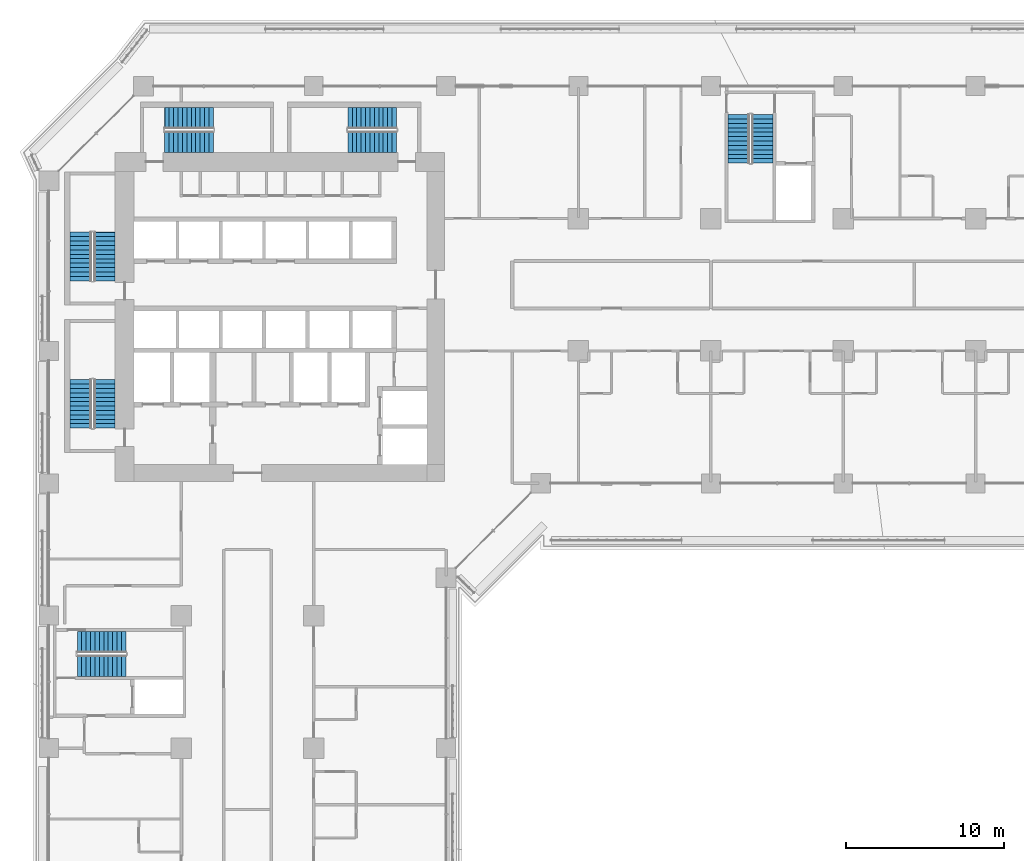
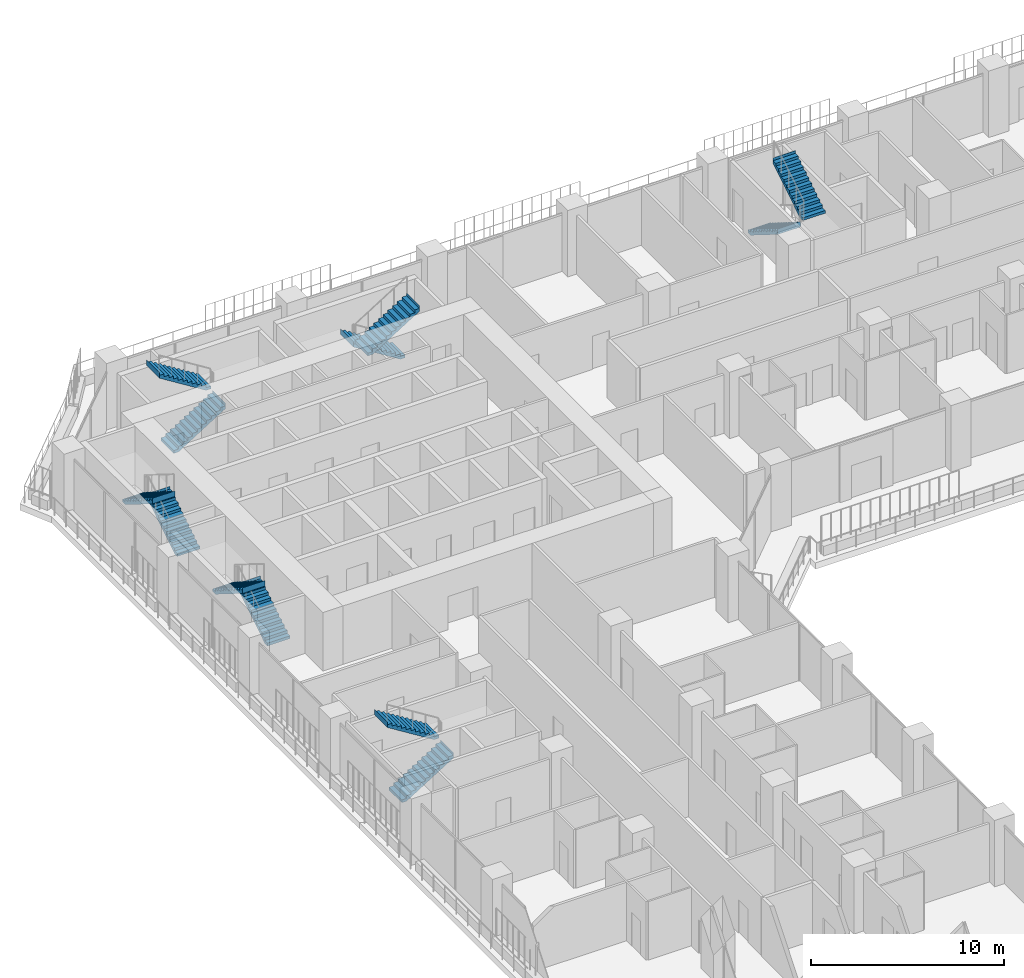
# One storey, part 20 of 28: 12 stair flights, 6 elements without a shape of their own.
"""IFC4 building model written with IfcOpenShell, lengths in metres."""

import ifcopenshell
import ifcopenshell.guid

model = None  # the IFC model being written
_history = None  # IfcOwnerHistory: only IFC2X3 demands one
_inside = {}  # id of a spatial element -> (the spatial element, [elements in it])
_under = {}  # id of a project, library or spatial element -> (it, [spatial elements below it])
_declared = {}  # id of a project -> (the project, [libraries it declares])
_typed = {}  # id of a type object -> (the type object, [elements of that type])
_made_of = {}  # id of a material, layer set ... -> (it, [elements and type objects made of it])


def new_model(schema):
    """Start an empty IFC model of exactly this schema.

    Asked for "IFC4X3", IfcOpenShell would pick the latest addendum, in which some entities
    have other attributes; the version numbers below select the first issue.
    IFC2X3 requires an IfcOwnerHistory on every rooted entity: one is made here for all.
    """
    global model, _history
    if schema == "IFC4X3":
        model = ifcopenshell.file(schema_version=(4, 3, 0, 0))
    else:
        model = ifcopenshell.file(schema=schema)
    _inside.clear()
    _under.clear()
    _declared.clear()
    _typed.clear()
    _made_of.clear()
    _history = None
    if model.schema == "IFC2X3":
        org = make("IfcOrganization", Name="unknown")
        user = make(
            "IfcPersonAndOrganization",
            ThePerson=make("IfcPerson", FamilyName="unknown"),
            TheOrganization=org,
        )
        app = make(
            "IfcApplication",
            ApplicationDeveloper=org,
            Version="unknown",
            ApplicationFullName="unknown",
            ApplicationIdentifier="unknown",
        )
        _history = make(
            "IfcOwnerHistory",
            OwningUser=user,
            OwningApplication=app,
            ChangeAction="ADDED",
            CreationDate=0,
        )
    return model


def make(cls, **values):
    """One entity of the class cls with the attributes given. An attribute that is None is left unset."""
    return model.create_entity(
        cls, **{name: value for name, value in values.items() if value is not None}
    )


def rooted(cls, **values):
    """An entity with a GlobalId (a new one), such as an element, a storey or a relation."""
    return make(cls, GlobalId=ifcopenshell.guid.new(), OwnerHistory=_history, **values)


def si_unit(unit_type, name, prefix=None):
    """IfcSIUnit, for example si_unit("LENGTHUNIT", "METRE", prefix="MILLI")."""
    return make("IfcSIUnit", UnitType=unit_type, Prefix=prefix, Name=name)


def assignment(units):
    """IfcUnitAssignment: the units of a project."""
    return None if units is None else make("IfcUnitAssignment", Units=units)


def point(xyz):
    """IfcCartesianPoint."""
    return None if xyz is None else make("IfcCartesianPoint", Coordinates=xyz)


def direction(xyz):
    """IfcDirection."""
    return None if xyz is None else make("IfcDirection", DirectionRatios=xyz)


def frame(location, z_axis=None, x_axis=None):
    """IfcAxis2Placement3D, a coordinate frame: its origin and axes. An axis left out is left unset."""
    return make(
        "IfcAxis2Placement3D",
        Location=point(location),
        Axis=direction(z_axis),
        RefDirection=direction(x_axis),
    )


def origin():
    """The frame at (0, 0, 0) with its axes left unset."""
    return frame((0.0, 0.0, 0.0))


def place(relative_to, where):
    """IfcLocalPlacement: puts the frame where relative to a parent placement (None: the world)."""
    return make(
        "IfcLocalPlacement", PlacementRelTo=relative_to, RelativePlacement=where
    )


def context(
    kind, dimensions, precision=None, world=None, true_north=None, identifier=None
):
    """IfcGeometricRepresentationContext, for example the 3D "Model" context."""
    return make(
        "IfcGeometricRepresentationContext",
        ContextIdentifier=identifier,
        ContextType=kind,
        CoordinateSpaceDimension=dimensions,
        Precision=precision,
        WorldCoordinateSystem=world,
        TrueNorth=true_north,
    )


def subcontext(parent, identifier, kind, view, scale=None):
    """IfcGeometricRepresentationSubContext, for example "Body" below "Model"."""
    return make(
        "IfcGeometricRepresentationSubContext",
        ContextIdentifier=identifier,
        ContextType=kind,
        ParentContext=parent,
        TargetScale=scale,
        TargetView=view,
    )


def project(units=None, contexts=None):
    """IfcProject with its units and contexts."""
    return rooted(
        "IfcProject",
        Name="project",
        RepresentationContexts=contexts,
        UnitsInContext=assignment(units),
    )


def spatial(cls, under=None, at=None, **own):
    """A site, building, storey or space (cls), placed at a placement, below another one or the project."""
    s = rooted(cls, ObjectPlacement=at, **own)
    if under is not None:
        _under.setdefault(under.id(), (under, []))[1].append(s)
    return s


def polyline(points):
    """IfcPolyline through the points."""
    return make("IfcPolyline", Points=[point(p) for p in points])


def outline(outer, holes=None, kind="AREA"):
    """IfcArbitraryClosedProfileDef: a profile drawn as a closed curve; with holes, ...WithVoids."""
    if holes is None:
        return make("IfcArbitraryClosedProfileDef", ProfileType=kind, OuterCurve=outer)
    return make(
        "IfcArbitraryProfileDefWithVoids",
        ProfileType=kind,
        OuterCurve=outer,
        InnerCurves=holes,
    )


def extrude(swept, where, along, depth):
    """IfcExtrudedAreaSolid: the profile swept, set in the frame where, extruded along a direction by depth."""
    return make(
        "IfcExtrudedAreaSolid",
        SweptArea=swept,
        Position=where,
        ExtrudedDirection=direction(along),
        Depth=depth,
    )


def shape(context_of_items, identifier, shape_type, items):
    """IfcShapeRepresentation: the items that make up one representation, for example the "Body"."""
    return make(
        "IfcShapeRepresentation",
        ContextOfItems=context_of_items,
        RepresentationIdentifier=identifier,
        RepresentationType=shape_type,
        Items=items,
    )


def material(Name=None, Category=None):
    """IfcMaterial."""
    return make("IfcMaterial", Name=Name, Category=Category)


def made_of(thing, what):
    """Note that an element or type object is made of a material, layer set ...; save() writes the relation."""
    if what is not None:
        _made_of.setdefault(what.id(), (what, []))[1].append(thing)
    return thing


def type_object(cls, material=None, **own):
    """A type object (cls), such as IfcWallType, which elements share."""
    return made_of(rooted(cls, **own), material)


def element(
    cls,
    number,
    at=None,
    inside=None,
    cuts=None,
    type_object=None,
    material=None,
    context=None,
    identifier="Body",
    shape_type=None,
    held_by="IfcProductDefinitionShape",
    body=None,
    shapes=None,
    **own,
):
    """One element of the class cls, such as IfcWall. Its Tag is "e" and its number.

    at: its placement. inside: the storey or other place that contains it. cuts: it is an
    opening in that element (IfcRelVoidsElement). A single representation is given by context,
    identifier, shape_type and body (its items); several are given by shapes. held_by: the class
    of the entity that holds the representations. save() writes the other relations.
    """
    e = rooted(cls, Tag="e%d" % number, ObjectPlacement=at, **own)
    if body is not None:
        shapes = [shape(context, identifier, shape_type, body)]
    if shapes is not None:
        e.Representation = make(held_by, Representations=shapes)
    if inside is not None:
        _inside.setdefault(inside.id(), (inside, []))[1].append(e)
    if cuts is not None:
        rooted(
            "IfcRelVoidsElement", RelatingBuildingElement=cuts, RelatedOpeningElement=e
        )
    if type_object is not None:
        _typed.setdefault(type_object.id(), (type_object, []))[1].append(e)
    return made_of(e, material)


def aggregate(whole, parts):
    """IfcRelAggregates: a whole, such as a stair, and the parts it consists of."""
    return rooted("IfcRelAggregates", RelatingObject=whole, RelatedObjects=parts)


def save(model, path):
    """Write the relations noted so far, then the file.

    IfcRelAggregates (storeys below a building ...), IfcRelContainedInSpatialStructure (elements
    in a storey), IfcRelDefinesByType, IfcRelAssociatesMaterial and IfcRelDeclares: one each for
    every whole, place, type object, material and project.
    """
    for whole, parts in _under.values():
        aggregate(whole, parts)
    for where, things in _inside.values():
        rooted(
            "IfcRelContainedInSpatialStructure",
            RelatedElements=things,
            RelatingStructure=where,
        )
    for kind, things in _typed.values():
        rooted("IfcRelDefinesByType", RelatedObjects=things, RelatingType=kind)
    for what, things in _made_of.values():
        rooted("IfcRelAssociatesMaterial", RelatedObjects=things, RelatingMaterial=what)
    for by, libraries in _declared.values():
        rooted("IfcRelDeclares", RelatingContext=by, RelatedDefinitions=libraries)
    model.write(path)


model = new_model("IFC4")

# Units and contexts
model_context = context("Model", 3, precision=1e-05, world=origin(), true_north=direction((0.0, 1.0)))
body_context = subcontext(model_context, "Body", "Model", "MODEL_VIEW")
ifc_project = project(units=[si_unit("LENGTHUNIT", "METRE"), si_unit("AREAUNIT", "SQUARE_METRE"), si_unit("VOLUMEUNIT", "CUBIC_METRE"), si_unit("PLANEANGLEUNIT", "RADIAN"), si_unit("MASSUNIT", "GRAM", prefix="KILO")], contexts=[model_context])

# Site, building, storey
site_placement = place(None, origin())
site = spatial("IfcSite", under=ifc_project, at=site_placement, CompositionType="ELEMENT")
building_placement = place(site_placement, origin())
building = spatial("IfcBuilding", under=site, at=building_placement, Name="Kawkab Arch Medical Tower", CompositionType="ELEMENT")
storey_placement = place(building_placement, frame((0.0, 0.0, 89.60009765625)))
storey = spatial("IfcBuildingStorey", under=building, at=storey_placement, Name="L20", CompositionType="ELEMENT", Elevation=89.60009765625)

# Stair, stair flights
ifc_material_1 = material(Name="Concrete C40/50", Category="concrete")
stair_type = type_object("IfcStairType", Name="Exit stair 1350", PredefinedType="HALF_TURN_STAIR", material=ifc_material_1)
placement = place(storey_placement, origin())
stair_1 = element("IfcStair", 1, at=placement, inside=storey, type_object=stair_type, Name="L20 Exit stair ST1", PredefinedType="HALF_TURN_STAIR")
ifc_material_2 = material(Name="Concrete C40/50", Category="concrete")
stair_flight_type = type_object("IfcStairFlightType", Name="Exit stair flight 1350", PredefinedType="STRAIGHT", material=ifc_material_2)
stair_flight_1_placement = place(storey_placement, frame((3.52490234375, -12.35009765625, 0.0), z_axis=(0.0, 0.0, 1.0), x_axis=(0.0, 1.0, 0.0)))
stair_flight_1 = element("IfcStairFlight", 2, at=stair_flight_1_placement, type_object=stair_flight_type, Name="ST1 flight 1", NumberOfRisers=12, NumberOfTreads=11, PredefinedType="STRAIGHT", RiserHeight=0.175, TreadLength=0.28, context=body_context, shape_type="SweptSolid", body=[
    extrude(outline(polyline([(-0.0029296875, 0.0), (-0.0029296875, 0.175048828125), (0.0, 0.175048828125), (0.280029296875, 0.175048828125), (0.280029296875, 0.35009765625), (0.56005859375, 0.35009765625), (0.56005859375, 0.52490234375), (0.840087890625, 0.52490234375), (0.840087890625, 0.699951171875), (1.1201171875, 0.699951171875), (1.1201171875, 0.875), (1.39990234375, 0.875), (1.39990234375, 1.050048828125), (1.679931640625, 1.050048828125), (1.679931640625, 1.22509765625), (1.9599609375, 1.22509765625), (1.9599609375, 1.39990234375), (2.239990234375, 1.39990234375), (2.239990234375, 1.574951171875), (2.52001953125, 1.574951171875), (2.52001953125, 1.75), (2.800048828125, 1.75), (2.800048828125, 1.925048828125), (3.080078125, 1.925048828125), (3.080078125, 2.10009765625), (3.0830078125, 2.10009765625), (3.0830078125, 1.748291015625), (3.080078125, 1.748291015625), (0.28271484375, 0.0), (-0.0029296875, 0.0)])), frame((0.0, 0.675048828125, 0.0), z_axis=(0.0, -1.0, 0.0), x_axis=(1.0, 0.0, 0.0)), (0.0, 0.0, 1.0), 1.35009765625),
])
stair_flight_2_placement = place(storey_placement, frame((2.02490234375, -9.27001953125, 2.099853515625), z_axis=(0.0, 0.0, 1.0), x_axis=(0.0, -1.0, 0.0)))
stair_flight_2 = element("IfcStairFlight", 3, at=stair_flight_2_placement, type_object=stair_flight_type, Name="ST1 flight 2", NumberOfRisers=12, NumberOfTreads=11, PredefinedType="STRAIGHT", RiserHeight=0.175, TreadLength=0.28, context=body_context, shape_type="SweptSolid", body=[
    extrude(outline(polyline([(-0.0029296875, 0.0), (-0.0029296875, 0.175048828125), (0.0, 0.175048828125), (0.280029296875, 0.175048828125), (0.280029296875, 0.35009765625), (0.56005859375, 0.35009765625), (0.56005859375, 0.52490234375), (0.840087890625, 0.52490234375), (0.840087890625, 0.699951171875), (1.1201171875, 0.699951171875), (1.1201171875, 0.875), (1.39990234375, 0.875), (1.39990234375, 1.050048828125), (1.679931640625, 1.050048828125), (1.679931640625, 1.22509765625), (1.9599609375, 1.22509765625), (1.9599609375, 1.39990234375), (2.239990234375, 1.39990234375), (2.239990234375, 1.574951171875), (2.52001953125, 1.574951171875), (2.52001953125, 1.75), (2.800048828125, 1.75), (2.800048828125, 1.925048828125), (3.080078125, 1.925048828125), (3.080078125, 2.10009765625), (3.0830078125, 2.10009765625), (3.0830078125, 1.748291015625), (3.080078125, 1.748291015625), (0.28271484375, 0.0), (-0.0029296875, 0.0)])), frame((0.0, 0.675048828125, 0.0), z_axis=(0.0, -1.0, 0.0), x_axis=(1.0, 0.0, 0.0)), (0.0, 0.0, 1.0), 1.35009765625),
])
aggregate(stair_1, [stair_flight_1, stair_flight_2])

stair_2 = element("IfcStair", 4, at=placement, inside=storey, type_object=stair_type, Name="L20 Exit stair ST2", PredefinedType="HALF_TURN_STAIR")
stair_flight_3_placement = place(storey_placement, frame((3.52490234375, -21.699951171875, 0.0), z_axis=(0.0, 0.0, 1.0), x_axis=(0.0, 1.0, 0.0)))
stair_flight_3 = element("IfcStairFlight", 5, at=stair_flight_3_placement, type_object=stair_flight_type, Name="ST2 flight 1", NumberOfRisers=12, NumberOfTreads=11, PredefinedType="STRAIGHT", RiserHeight=0.175, TreadLength=0.28, context=body_context, shape_type="SweptSolid", body=[
    extrude(outline(polyline([(-0.0029296875, 0.0), (-0.0029296875, 0.175048828125), (0.0, 0.175048828125), (0.280029296875, 0.175048828125), (0.280029296875, 0.35009765625), (0.56005859375, 0.35009765625), (0.56005859375, 0.52490234375), (0.840087890625, 0.52490234375), (0.840087890625, 0.699951171875), (1.1201171875, 0.699951171875), (1.1201171875, 0.875), (1.39990234375, 0.875), (1.39990234375, 1.050048828125), (1.679931640625, 1.050048828125), (1.679931640625, 1.22509765625), (1.9599609375, 1.22509765625), (1.9599609375, 1.39990234375), (2.239990234375, 1.39990234375), (2.239990234375, 1.574951171875), (2.52001953125, 1.574951171875), (2.52001953125, 1.75), (2.800048828125, 1.75), (2.800048828125, 1.925048828125), (3.080078125, 1.925048828125), (3.080078125, 2.10009765625), (3.0830078125, 2.10009765625), (3.0830078125, 1.748291015625), (3.080078125, 1.748291015625), (0.28271484375, 0.0), (-0.0029296875, 0.0)])), frame((0.0, 0.675048828125, 0.0), z_axis=(0.0, -1.0, 0.0), x_axis=(1.0, 0.0, 0.0)), (0.0, 0.0, 1.0), 1.35009765625),
])
stair_flight_4_placement = place(storey_placement, frame((2.02490234375, -18.6201171875, 2.099853515625), z_axis=(0.0, 0.0, 1.0), x_axis=(0.0, -1.0, 0.0)))
stair_flight_4 = element("IfcStairFlight", 6, at=stair_flight_4_placement, type_object=stair_flight_type, Name="ST2 flight 2", NumberOfRisers=12, NumberOfTreads=11, PredefinedType="STRAIGHT", RiserHeight=0.175, TreadLength=0.28, context=body_context, shape_type="SweptSolid", body=[
    extrude(outline(polyline([(-0.0029296875, 0.0), (-0.0029296875, 0.175048828125), (0.0, 0.175048828125), (0.280029296875, 0.175048828125), (0.280029296875, 0.35009765625), (0.56005859375, 0.35009765625), (0.56005859375, 0.52490234375), (0.840087890625, 0.52490234375), (0.840087890625, 0.699951171875), (1.1201171875, 0.699951171875), (1.1201171875, 0.875), (1.39990234375, 0.875), (1.39990234375, 1.050048828125), (1.679931640625, 1.050048828125), (1.679931640625, 1.22509765625), (1.9599609375, 1.22509765625), (1.9599609375, 1.39990234375), (2.239990234375, 1.39990234375), (2.239990234375, 1.574951171875), (2.52001953125, 1.574951171875), (2.52001953125, 1.75), (2.800048828125, 1.75), (2.800048828125, 1.925048828125), (3.080078125, 1.925048828125), (3.080078125, 2.10009765625), (3.0830078125, 2.10009765625), (3.0830078125, 1.748291015625), (3.080078125, 1.748291015625), (0.28271484375, 0.0), (-0.0029296875, 0.0)])), frame((0.0, 0.675048828125, 0.0), z_axis=(0.0, -1.0, 0.0), x_axis=(1.0, 0.0, 0.0)), (0.0, 0.0, 1.0), 1.35009765625),
])
aggregate(stair_2, [stair_flight_3, stair_flight_4])

stair_3 = element("IfcStair", 7, at=placement, inside=storey, type_object=stair_type, Name="L20 Exit stair ST3", PredefinedType="HALF_TURN_STAIR")
stair_flight_5_placement = place(storey_placement, frame((7.35009765625, -3.52490234375, 0.0), z_axis=(0.0, 0.0, 1.0), x_axis=(1.0, 0.0, 0.0)))
stair_flight_5 = element("IfcStairFlight", 8, at=stair_flight_5_placement, type_object=stair_flight_type, Name="ST3 flight 1", NumberOfRisers=12, NumberOfTreads=11, PredefinedType="STRAIGHT", RiserHeight=0.175, TreadLength=0.28, context=body_context, shape_type="SweptSolid", body=[
    extrude(outline(polyline([(-0.0029296875, 0.0), (-0.0029296875, 0.175048828125), (0.0, 0.175048828125), (0.280029296875, 0.175048828125), (0.280029296875, 0.35009765625), (0.56005859375, 0.35009765625), (0.56005859375, 0.52490234375), (0.840087890625, 0.52490234375), (0.840087890625, 0.699951171875), (1.1201171875, 0.699951171875), (1.1201171875, 0.875), (1.39990234375, 0.875), (1.39990234375, 1.050048828125), (1.679931640625, 1.050048828125), (1.679931640625, 1.22509765625), (1.9599609375, 1.22509765625), (1.9599609375, 1.39990234375), (2.239990234375, 1.39990234375), (2.239990234375, 1.574951171875), (2.52001953125, 1.574951171875), (2.52001953125, 1.75), (2.800048828125, 1.75), (2.800048828125, 1.925048828125), (3.080078125, 1.925048828125), (3.080078125, 2.10009765625), (3.0830078125, 2.10009765625), (3.0830078125, 1.748291015625), (3.080078125, 1.748291015625), (0.28271484375, 0.0), (-0.0029296875, 0.0)])), frame((0.0, 0.675048828125, 0.0), z_axis=(0.0, -1.0, 0.0), x_axis=(1.0, 0.0, 0.0)), (0.0, 0.0, 1.0), 1.35009765625),
])
stair_flight_6_placement = place(storey_placement, frame((10.429931640625, -2.02490234375, 2.099853515625), z_axis=(0.0, 0.0, 1.0), x_axis=(-1.0, 0.0, 0.0)))
stair_flight_6 = element("IfcStairFlight", 9, at=stair_flight_6_placement, type_object=stair_flight_type, Name="ST3 flight 2", NumberOfRisers=12, NumberOfTreads=11, PredefinedType="STRAIGHT", RiserHeight=0.175, TreadLength=0.28, context=body_context, shape_type="SweptSolid", body=[
    extrude(outline(polyline([(-0.0029296875, 0.0), (-0.0029296875, 0.175048828125), (0.0, 0.175048828125), (0.280029296875, 0.175048828125), (0.280029296875, 0.35009765625), (0.56005859375, 0.35009765625), (0.56005859375, 0.52490234375), (0.840087890625, 0.52490234375), (0.840087890625, 0.699951171875), (1.1201171875, 0.699951171875), (1.1201171875, 0.875), (1.39990234375, 0.875), (1.39990234375, 1.050048828125), (1.679931640625, 1.050048828125), (1.679931640625, 1.22509765625), (1.9599609375, 1.22509765625), (1.9599609375, 1.39990234375), (2.239990234375, 1.39990234375), (2.239990234375, 1.574951171875), (2.52001953125, 1.574951171875), (2.52001953125, 1.75), (2.800048828125, 1.75), (2.800048828125, 1.925048828125), (3.080078125, 1.925048828125), (3.080078125, 2.10009765625), (3.0830078125, 2.10009765625), (3.0830078125, 1.748291015625), (3.080078125, 1.748291015625), (0.28271484375, 0.0), (-0.0029296875, 0.0)])), frame((0.0, 0.675048828125, 0.0), z_axis=(0.0, -1.0, 0.0), x_axis=(1.0, 0.0, 0.0)), (0.0, 0.0, 1.0), 1.35009765625),
])
aggregate(stair_3, [stair_flight_5, stair_flight_6])

stair_4 = element("IfcStair", 10, at=placement, inside=storey, type_object=stair_type, Name="L20 Exit stair ST4", PredefinedType="HALF_TURN_STAIR")
stair_flight_7_placement = place(storey_placement, frame((22.050048828125, -2.02490234375, 0.0), z_axis=(0.0, 0.0, 1.0), x_axis=(-1.0, 0.0, 0.0)))
stair_flight_7 = element("IfcStairFlight", 11, at=stair_flight_7_placement, type_object=stair_flight_type, Name="ST4 flight 1", NumberOfRisers=12, NumberOfTreads=11, PredefinedType="STRAIGHT", RiserHeight=0.175, TreadLength=0.28, context=body_context, shape_type="SweptSolid", body=[
    extrude(outline(polyline([(-0.0029296875, 0.0), (-0.0029296875, 0.175048828125), (0.0, 0.175048828125), (0.280029296875, 0.175048828125), (0.280029296875, 0.35009765625), (0.56005859375, 0.35009765625), (0.56005859375, 0.52490234375), (0.840087890625, 0.52490234375), (0.840087890625, 0.699951171875), (1.1201171875, 0.699951171875), (1.1201171875, 0.875), (1.39990234375, 0.875), (1.39990234375, 1.050048828125), (1.679931640625, 1.050048828125), (1.679931640625, 1.22509765625), (1.9599609375, 1.22509765625), (1.9599609375, 1.39990234375), (2.239990234375, 1.39990234375), (2.239990234375, 1.574951171875), (2.52001953125, 1.574951171875), (2.52001953125, 1.75), (2.800048828125, 1.75), (2.800048828125, 1.925048828125), (3.080078125, 1.925048828125), (3.080078125, 2.10009765625), (3.0830078125, 2.10009765625), (3.0830078125, 1.748291015625), (3.080078125, 1.748291015625), (0.28271484375, 0.0), (-0.0029296875, 0.0)])), frame((0.0, 0.675048828125, 0.0), z_axis=(0.0, -1.0, 0.0), x_axis=(1.0, 0.0, 0.0)), (0.0, 0.0, 1.0), 1.35009765625),
])
stair_flight_8_placement = place(storey_placement, frame((18.969970703125, -3.52490234375, 2.099853515625), z_axis=(0.0, 0.0, 1.0), x_axis=(1.0, 0.0, 0.0)))
stair_flight_8 = element("IfcStairFlight", 12, at=stair_flight_8_placement, type_object=stair_flight_type, Name="ST4 flight 2", NumberOfRisers=12, NumberOfTreads=11, PredefinedType="STRAIGHT", RiserHeight=0.175, TreadLength=0.28, context=body_context, shape_type="SweptSolid", body=[
    extrude(outline(polyline([(-0.0029296875, 0.0), (-0.0029296875, 0.175048828125), (0.0, 0.175048828125), (0.280029296875, 0.175048828125), (0.280029296875, 0.35009765625), (0.56005859375, 0.35009765625), (0.56005859375, 0.52490234375), (0.840087890625, 0.52490234375), (0.840087890625, 0.699951171875), (1.1201171875, 0.699951171875), (1.1201171875, 0.875), (1.39990234375, 0.875), (1.39990234375, 1.050048828125), (1.679931640625, 1.050048828125), (1.679931640625, 1.22509765625), (1.9599609375, 1.22509765625), (1.9599609375, 1.39990234375), (2.239990234375, 1.39990234375), (2.239990234375, 1.574951171875), (2.52001953125, 1.574951171875), (2.52001953125, 1.75), (2.800048828125, 1.75), (2.800048828125, 1.925048828125), (3.080078125, 1.925048828125), (3.080078125, 2.10009765625), (3.0830078125, 2.10009765625), (3.0830078125, 1.748291015625), (3.080078125, 1.748291015625), (0.28271484375, 0.0), (-0.0029296875, 0.0)])), frame((0.0, 0.675048828125, 0.0), z_axis=(0.0, -1.0, 0.0), x_axis=(1.0, 0.0, 0.0)), (0.0, 0.0, 1.0), 1.35009765625),
])
aggregate(stair_4, [stair_flight_7, stair_flight_8])

stair_5 = element("IfcStair", 13, at=placement, inside=storey, type_object=stair_type, Name="L20 Exit stair ST5", PredefinedType="HALF_TURN_STAIR")
stair_flight_9_placement = place(storey_placement, frame((43.77490234375, -1.800048828125, 0.0), z_axis=(0.0, 0.0, 1.0), x_axis=(0.0, -1.0, 0.0)))
stair_flight_9 = element("IfcStairFlight", 14, at=stair_flight_9_placement, type_object=stair_flight_type, Name="ST5 flight 1", NumberOfRisers=12, NumberOfTreads=11, PredefinedType="STRAIGHT", RiserHeight=0.175, TreadLength=0.28, context=body_context, shape_type="SweptSolid", body=[
    extrude(outline(polyline([(-0.0029296875, 0.0), (-0.0029296875, 0.175048828125), (0.0, 0.175048828125), (0.280029296875, 0.175048828125), (0.280029296875, 0.35009765625), (0.56005859375, 0.35009765625), (0.56005859375, 0.52490234375), (0.840087890625, 0.52490234375), (0.840087890625, 0.699951171875), (1.1201171875, 0.699951171875), (1.1201171875, 0.875), (1.39990234375, 0.875), (1.39990234375, 1.050048828125), (1.679931640625, 1.050048828125), (1.679931640625, 1.22509765625), (1.9599609375, 1.22509765625), (1.9599609375, 1.39990234375), (2.239990234375, 1.39990234375), (2.239990234375, 1.574951171875), (2.52001953125, 1.574951171875), (2.52001953125, 1.75), (2.800048828125, 1.75), (2.800048828125, 1.925048828125), (3.080078125, 1.925048828125), (3.080078125, 2.10009765625), (3.0830078125, 2.10009765625), (3.0830078125, 1.748291015625), (3.080078125, 1.748291015625), (0.28271484375, 0.0), (-0.0029296875, 0.0)])), frame((0.0, 0.675048828125, 0.0), z_axis=(0.0, -1.0, 0.0), x_axis=(1.0, 0.0, 0.0)), (0.0, 0.0, 1.0), 1.35009765625),
])
stair_flight_10_placement = place(storey_placement, frame((45.27490234375, -4.8798828125, 2.099853515625), z_axis=(0.0, 0.0, 1.0), x_axis=(0.0, 1.0, 0.0)))
stair_flight_10 = element("IfcStairFlight", 15, at=stair_flight_10_placement, type_object=stair_flight_type, Name="ST5 flight 2", NumberOfRisers=12, NumberOfTreads=11, PredefinedType="STRAIGHT", RiserHeight=0.175, TreadLength=0.28, context=body_context, shape_type="SweptSolid", body=[
    extrude(outline(polyline([(-0.0029296875, 0.0), (-0.0029296875, 0.175048828125), (0.0, 0.175048828125), (0.280029296875, 0.175048828125), (0.280029296875, 0.35009765625), (0.56005859375, 0.35009765625), (0.56005859375, 0.52490234375), (0.840087890625, 0.52490234375), (0.840087890625, 0.699951171875), (1.1201171875, 0.699951171875), (1.1201171875, 0.875), (1.39990234375, 0.875), (1.39990234375, 1.050048828125), (1.679931640625, 1.050048828125), (1.679931640625, 1.22509765625), (1.9599609375, 1.22509765625), (1.9599609375, 1.39990234375), (2.239990234375, 1.39990234375), (2.239990234375, 1.574951171875), (2.52001953125, 1.574951171875), (2.52001953125, 1.75), (2.800048828125, 1.75), (2.800048828125, 1.925048828125), (3.080078125, 1.925048828125), (3.080078125, 2.10009765625), (3.0830078125, 2.10009765625), (3.0830078125, 1.748291015625), (3.080078125, 1.748291015625), (0.28271484375, 0.0), (-0.0029296875, 0.0)])), frame((0.0, 0.675048828125, 0.0), z_axis=(0.0, -1.0, 0.0), x_axis=(1.0, 0.0, 0.0)), (0.0, 0.0, 1.0), 1.35009765625),
])
aggregate(stair_5, [stair_flight_9, stair_flight_10])

stair_6 = element("IfcStair", 16, at=placement, inside=storey, type_object=stair_type, Name="L20 Exit stair ST6", PredefinedType="HALF_TURN_STAIR")
stair_flight_11_placement = place(storey_placement, frame((1.800048828125, -36.77490234375, 0.0), z_axis=(0.0, 0.0, 1.0), x_axis=(1.0, 0.0, 0.0)))
stair_flight_11 = element("IfcStairFlight", 17, at=stair_flight_11_placement, type_object=stair_flight_type, Name="ST6 flight 1", NumberOfRisers=12, NumberOfTreads=11, PredefinedType="STRAIGHT", RiserHeight=0.175, TreadLength=0.28, context=body_context, shape_type="SweptSolid", body=[
    extrude(outline(polyline([(-0.0029296875, 0.0), (-0.0029296875, 0.175048828125), (0.0, 0.175048828125), (0.280029296875, 0.175048828125), (0.280029296875, 0.35009765625), (0.56005859375, 0.35009765625), (0.56005859375, 0.52490234375), (0.840087890625, 0.52490234375), (0.840087890625, 0.699951171875), (1.1201171875, 0.699951171875), (1.1201171875, 0.875), (1.39990234375, 0.875), (1.39990234375, 1.050048828125), (1.679931640625, 1.050048828125), (1.679931640625, 1.22509765625), (1.9599609375, 1.22509765625), (1.9599609375, 1.39990234375), (2.239990234375, 1.39990234375), (2.239990234375, 1.574951171875), (2.52001953125, 1.574951171875), (2.52001953125, 1.75), (2.800048828125, 1.75), (2.800048828125, 1.925048828125), (3.080078125, 1.925048828125), (3.080078125, 2.10009765625), (3.0830078125, 2.10009765625), (3.0830078125, 1.748291015625), (3.080078125, 1.748291015625), (0.28271484375, 0.0), (-0.0029296875, 0.0)])), frame((0.0, 0.675048828125, 0.0), z_axis=(0.0, -1.0, 0.0), x_axis=(1.0, 0.0, 0.0)), (0.0, 0.0, 1.0), 1.35009765625),
])
stair_flight_12_placement = place(storey_placement, frame((4.8798828125, -35.27490234375, 2.099853515625), z_axis=(0.0, 0.0, 1.0), x_axis=(-1.0, 0.0, 0.0)))
stair_flight_12 = element("IfcStairFlight", 18, at=stair_flight_12_placement, type_object=stair_flight_type, Name="ST6 flight 2", NumberOfRisers=12, NumberOfTreads=11, PredefinedType="STRAIGHT", RiserHeight=0.175, TreadLength=0.28, context=body_context, shape_type="SweptSolid", body=[
    extrude(outline(polyline([(-0.0029296875, 0.0), (-0.0029296875, 0.175048828125), (0.0, 0.175048828125), (0.280029296875, 0.175048828125), (0.280029296875, 0.35009765625), (0.56005859375, 0.35009765625), (0.56005859375, 0.52490234375), (0.840087890625, 0.52490234375), (0.840087890625, 0.699951171875), (1.1201171875, 0.699951171875), (1.1201171875, 0.875), (1.39990234375, 0.875), (1.39990234375, 1.050048828125), (1.679931640625, 1.050048828125), (1.679931640625, 1.22509765625), (1.9599609375, 1.22509765625), (1.9599609375, 1.39990234375), (2.239990234375, 1.39990234375), (2.239990234375, 1.574951171875), (2.52001953125, 1.574951171875), (2.52001953125, 1.75), (2.800048828125, 1.75), (2.800048828125, 1.925048828125), (3.080078125, 1.925048828125), (3.080078125, 2.10009765625), (3.0830078125, 2.10009765625), (3.0830078125, 1.748291015625), (3.080078125, 1.748291015625), (0.28271484375, 0.0), (-0.0029296875, 0.0)])), frame((0.0, 0.675048828125, 0.0), z_axis=(0.0, -1.0, 0.0), x_axis=(1.0, 0.0, 0.0)), (0.0, 0.0, 1.0), 1.35009765625),
])
aggregate(stair_6, [stair_flight_11, stair_flight_12])

save(model, "model.ifc")
